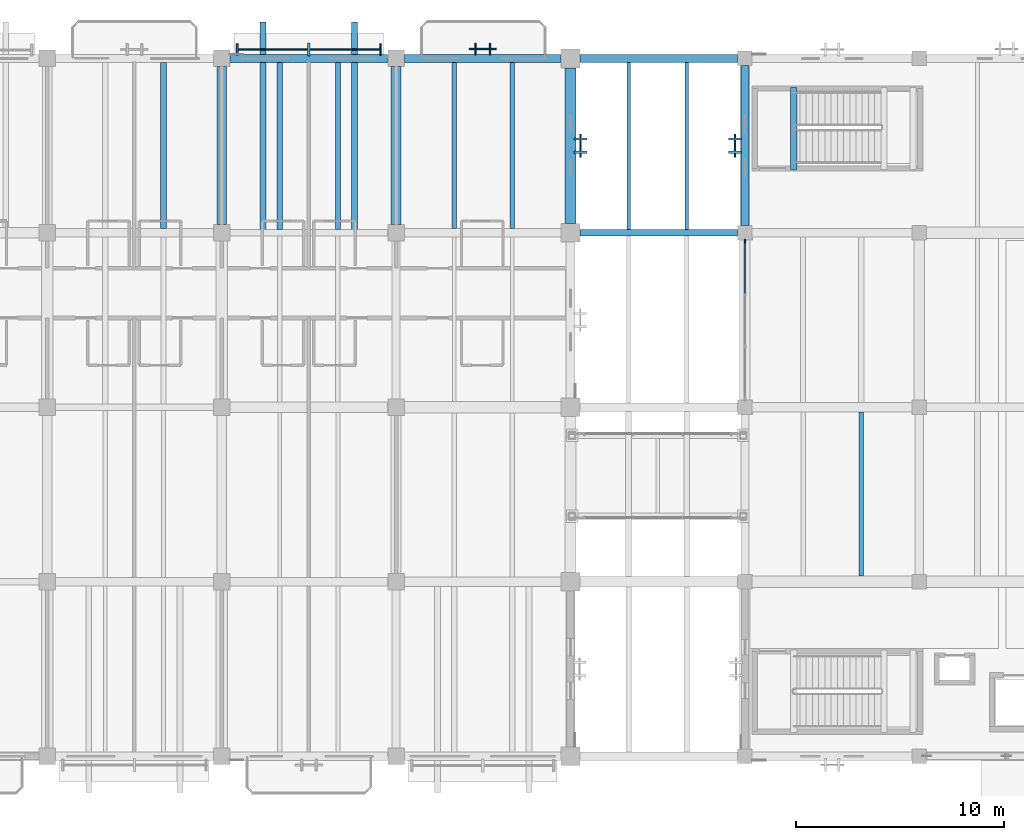
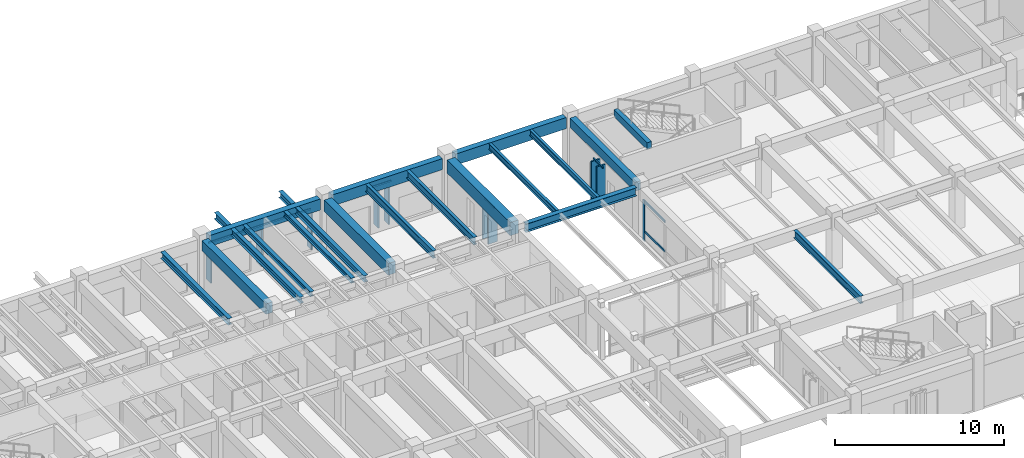
# One storey, part 50 of 132: 19 beams, 16 members, 5 elements without a shape of their own.
"""IFC4 building model written with IfcOpenShell, lengths in metres."""

from ifc_helpers import new_model, si_unit, direction, frame, origin, origin_2d, place, context, subcontext, project, spatial, rectangle, i_section, extrude, material, material_profile, profile_set, type_object, element, aggregate, save


model = new_model("IFC4")

# Units and contexts
model_context = context("Model", 3, precision=1e-05, world=origin(), true_north=direction((0.0, 1.0)))
body_context = subcontext(model_context, "Body", "Model", "MODEL_VIEW")
ifc_project = project(units=[si_unit("LENGTHUNIT", "METRE"), si_unit("AREAUNIT", "SQUARE_METRE"), si_unit("VOLUMEUNIT", "CUBIC_METRE"), si_unit("PLANEANGLEUNIT", "RADIAN"), si_unit("MASSUNIT", "GRAM", prefix="KILO")], contexts=[model_context])

# Site, building, storey
site_placement = place(None, origin())
site = spatial("IfcSite", under=ifc_project, at=site_placement, CompositionType="ELEMENT")
building_placement = place(site_placement, origin())
building = spatial("IfcBuilding", under=site, at=building_placement, Name="Cumbredor Promenade Congress Hotel", CompositionType="ELEMENT")
storey_placement = place(building_placement, frame((0.0, 0.0, 7.56005859375)))
storey = spatial("IfcBuildingStorey", under=building, at=storey_placement, Name="L02", CompositionType="ELEMENT", Elevation=7.56005859375)

# Beams
ifc_material_1 = material(Name="Concrete C40/50", Category="concrete")
ifc_material_profile_1 = material_profile(ifc_material_1, rectangle(XDim=0.39990234375, YDim=0.64990234375, at=origin_2d()), Name="RC BEAM 400x650")
ifc_profile_set_1 = profile_set([ifc_material_profile_1], Name="Concrete C40/50")
beam_type_1 = type_object("IfcBeamType", Name="BM-RC-400x650", PredefinedType="BEAM", material=ifc_profile_set_1)
beam_1_placement = place(storey_placement, frame((92.39990234375, 109.550048828125, 3.474853515625), z_axis=(0.0, 1.0, 0.0), x_axis=(-1.0, 0.0, 0.0)))
element("IfcBeam", 1, at=beam_1_placement, inside=storey, type_object=beam_type_1, Name="L03 Y-Grid Beam 156", PredefinedType="BEAM", context=body_context, shape_type="SweptSolid", body=[
    extrude(rectangle(XDim=0.39990234375, YDim=0.64990234375, at=origin_2d()), origin(), (0.0, 0.0, 1.0), 7.699951171875),
])
ifc_material_profile_2 = material_profile(ifc_material_1, rectangle(XDim=0.449951171875, YDim=0.75, at=origin_2d()), Name="RC BEAM 450x750")
ifc_profile_set_2 = profile_set([ifc_material_profile_2], Name="Concrete C40/50")
beam_type_2 = type_object("IfcBeamType", Name="BM-RC-450x750", PredefinedType="BEAM", material=ifc_profile_set_2)
beam_2_placement = place(storey_placement, frame((67.199951171875, 109.60009765625, 3.425048828125), z_axis=(0.0, 1.0, 0.0), x_axis=(-1.0, 0.0, 0.0)))
element("IfcBeam", 2, at=beam_2_placement, inside=storey, type_object=beam_type_2, Name="L03 Y-Grid Beam 129", PredefinedType="BEAM", context=body_context, shape_type="SweptSolid", body=[
    extrude(rectangle(XDim=0.449951171875, YDim=0.75, at=origin_2d()), origin(), (0.0, 0.0, 1.0), 7.599853515625),
])
ifc_material_profile_3 = material_profile(ifc_material_1, rectangle(XDim=0.5, YDim=0.85009765625, at=origin_2d()), Name="RC BEAM 500x850")
ifc_profile_set_3 = profile_set([ifc_material_profile_3], Name="Concrete C40/50")
beam_type_3 = type_object("IfcBeamType", Name="BM-RC-500x850", PredefinedType="BEAM", material=ifc_profile_set_3)
beam_3_placement = place(storey_placement, frame((75.60009765625, 109.60009765625, 3.375), z_axis=(0.0, 1.0, 0.0), x_axis=(-1.0, 0.0, 0.0)))
element("IfcBeam", 3, at=beam_3_placement, inside=storey, type_object=beam_type_3, Name="L03 Y-Grid Beam 138", PredefinedType="BEAM", context=body_context, shape_type="SweptSolid", body=[
    extrude(rectangle(XDim=0.5, YDim=0.85009765625, at=origin_2d()), origin(), (0.0, 0.0, 1.0), 7.599853515625),
])
ifc_material_profile_4 = material_profile(ifc_material_1, rectangle(XDim=0.550048828125, YDim=0.949951171875, at=origin_2d()), Name="RC BEAM 550x950")
ifc_profile_set_4 = profile_set([ifc_material_profile_4], Name="Concrete C40/50")
beam_type_4 = type_object("IfcBeamType", Name="BM-RC-550x950", PredefinedType="BEAM", material=ifc_profile_set_4)
beam_4_placement = place(storey_placement, frame((84.0, 109.64990234375, 3.324951171875), z_axis=(0.0, 1.0, 0.0), x_axis=(-1.0, 0.0, 0.0)))
element("IfcBeam", 4, at=beam_4_placement, inside=storey, type_object=beam_type_4, Name="L03 Y-Grid Beam 147", PredefinedType="BEAM", context=body_context, shape_type="SweptSolid", body=[
    extrude(rectangle(XDim=0.550048828125, YDim=0.949951171875, at=origin_2d()), origin(), (0.0, 0.0, 1.0), 7.5),
])
ifc_material_2 = material(Name="Steel ASTM A992 Grade 50", Category="steel")
ifc_material_profile_5 = material_profile(ifc_material_2, i_section(OverallWidth=0.323974609375, OverallDepth=0.611083984375, WebThickness=0.0126953125, FlangeThickness=0.01904296875, at=origin_2d()), Name="W24X104")
ifc_profile_set_5 = profile_set([ifc_material_profile_5], Name="Steel ASTM A992 Grade 50")
beam_type_5 = type_object("IfcBeamType", Name="BM-W24X104", PredefinedType="BEAM", material=ifc_profile_set_5)
beam_5_placement = place(storey_placement, frame((84.449951171875, 109.199951171875, 3.494384765625), z_axis=(1.0, 0.0, 0.0), x_axis=(0.0, 1.0, 0.0)))
element("IfcBeam", 5, at=beam_5_placement, inside=storey, type_object=beam_type_5, Name="L03 X-Grid Beam 146", PredefinedType="BEAM", context=body_context, shape_type="SweptSolid", body=[
    extrude(i_section(OverallWidth=0.323974609375, OverallDepth=0.611083984375, WebThickness=0.0126953125, FlangeThickness=0.01904296875, at=origin_2d()), origin(), (0.0, 0.0, 1.0), 7.60009765625),
])

# Curtain wall, member
ifc_material_3 = material(Name="Thermally broken anodized aluminium and low-E glass", Category="aluminium")
curtain_wall_type_1 = type_object("IfcCurtainWallType", Name="Unitised Forum Curtain Wall CW-02", PredefinedType="NOTDEFINED", material=ifc_material_3)
curtain_wall_1_placement = place(storey_placement, origin())
curtain_wall_1 = element("IfcCurtainWall", 6, at=curtain_wall_1_placement, inside=storey, type_object=curtain_wall_type_1, Name="L02 Pre-Function and Breakout Meeting Forum West Curtain Wall 3", PredefinedType="NOTDEFINED")
ifc_material_4 = material(Name="Thermally broken anodized aluminium", Category="aluminium")
ifc_material_profile_6 = material_profile(ifc_material_4, rectangle(XDim=0.074951171875, YDim=0.199951171875, at=origin_2d()), Name="ALU MULLION 75x200")
ifc_profile_set_6 = profile_set([ifc_material_profile_6], Name="Thermally broken anodized aluminium")
member_type_1 = type_object("IfcMemberType", Name="Curtain Wall Mullion ML-02", PredefinedType="MULLION", material=ifc_profile_set_6)
member_1_placement = place(storey_placement, frame((92.39990234375, 108.794921875, -0.008056640625), z_axis=(0.0, 0.0, 1.0), x_axis=(1.0, 0.0, 0.0)))
member_1 = element("IfcMember", 7, at=member_1_placement, type_object=member_type_1, Name="L02 Pre-Function and Breakout Meeting Forum West Curtain Wall 3 Mullion 4", PredefinedType="MULLION", context=body_context, shape_type="SweptSolid", body=[
    extrude(rectangle(XDim=0.074951171875, YDim=0.199951171875, at=origin_2d()), origin(), (0.0, 0.0, 1.0), 2.950927734375),
])

curtain_wall_type_2 = type_object("IfcCurtainWallType", Name="Solar Brise-Soleil Screen Assembly CW-07", PredefinedType="NOTDEFINED", material=ifc_material_3)
curtain_wall_2_placement = place(storey_placement, origin())
curtain_wall_2 = element("IfcCurtainWall", 8, at=curtain_wall_2_placement, inside=storey, type_object=curtain_wall_type_2, Name="L02 Pier Brise-Soleil Screen 0436", PredefinedType="NOTDEFINED")
ifc_material_profile_7 = material_profile(ifc_material_4, rectangle(XDim=0.06494140625, YDim=0.1298828125, at=origin_2d()), Name="ALU TRANSOM 65x130")
ifc_profile_set_7 = profile_set([ifc_material_profile_7], Name="Thermally broken anodized aluminium")
member_type_2 = type_object("IfcMemberType", Name="Curtain Wall Transom TR-01", PredefinedType="USERDEFINED", material=ifc_profile_set_7)
member_2_placement = place(storey_placement, frame((91.9150390625, 112.85009765625, 2.974853515625), z_axis=(0.0, 1.0, 0.0), x_axis=(-1.0, 0.0, 0.0)))
member_2 = element("IfcMember", 9, at=member_2_placement, type_object=member_type_2, Name="L02 Pier Brise-Soleil Header 0438", ObjectType="TRANSOM", PredefinedType="USERDEFINED", context=body_context, shape_type="SweptSolid", body=[
    extrude(rectangle(XDim=0.06494140625, YDim=0.1298828125, at=origin_2d()), origin(), (0.0, 0.0, 1.0), 1.099853515625),
])

curtain_wall_3_placement = place(storey_placement, origin())
curtain_wall_3 = element("IfcCurtainWall", 10, at=curtain_wall_3_placement, inside=storey, type_object=curtain_wall_type_2, Name="L02 Hospitality Brise-Soleil Screen 046", PredefinedType="NOTDEFINED")
member_3_placement = place(storey_placement, frame((67.90087890625, 118.034912109375, 2.804931640625), z_axis=(1.0, 0.0, 0.0), x_axis=(0.0, 1.0, 0.0)))
member_3 = element("IfcMember", 11, at=member_3_placement, type_object=member_type_2, Name="L02 Brise-Soleil Screen Transom 046", ObjectType="TRANSOM", PredefinedType="USERDEFINED", context=body_context, shape_type="SweptSolid", body=[
    extrude(rectangle(XDim=0.06494140625, YDim=0.1298828125, at=origin_2d()), origin(), (0.0, 0.0, 1.0), 6.998046875),
])

curtain_wall_4_placement = place(storey_placement, origin())
curtain_wall_4 = element("IfcCurtainWall", 12, at=curtain_wall_4_placement, inside=storey, type_object=curtain_wall_type_2, Name="L02 Veranda Solar Brise-Soleil Screen 496", PredefinedType="NOTDEFINED")
member_4_placement = place(storey_placement, frame((79.125, 118.050048828125, 2.905029296875), z_axis=(1.0, 0.0, 0.0), x_axis=(0.0, 1.0, 0.0)))
member_4 = element("IfcMember", 13, at=member_4_placement, type_object=member_type_2, Name="L02 Brise-Soleil Header Tie 0498", ObjectType="TRANSOM", PredefinedType="USERDEFINED", context=body_context, shape_type="SweptSolid", body=[
    extrude(rectangle(XDim=0.06494140625, YDim=0.1298828125, at=origin_2d()), origin(), (0.0, 0.0, 1.0), 1.300048828125),
])

curtain_wall_5_placement = place(storey_placement, origin())
curtain_wall_5 = element("IfcCurtainWall", 14, at=curtain_wall_5_placement, inside=storey, type_object=curtain_wall_type_2, Name="L02 Pier Brise-Soleil Screen 0517", PredefinedType="NOTDEFINED")
member_5_placement = place(storey_placement, frame((84.485107421875, 112.85009765625, 2.675048828125), z_axis=(0.0, 1.0, 0.0), x_axis=(-1.0, 0.0, 0.0)))
member_5 = element("IfcMember", 15, at=member_5_placement, type_object=member_type_2, Name="L02 Pier Brise-Soleil Header 0519", ObjectType="TRANSOM", PredefinedType="USERDEFINED", context=body_context, shape_type="SweptSolid", body=[
    extrude(rectangle(XDim=0.06494140625, YDim=0.1298828125, at=origin_2d()), origin(), (0.0, 0.0, 1.0), 1.099853515625),
])

# Member
ifc_material_profile_8 = material_profile(ifc_material_4, rectangle(XDim=0.074951171875, YDim=0.14990234375, at=origin_2d()), Name="ALU TRANSOM 75x150")
ifc_profile_set_8 = profile_set([ifc_material_profile_8], Name="Thermally broken anodized aluminium")
member_type_3 = type_object("IfcMemberType", Name="Curtain Wall Transom TR-02", PredefinedType="USERDEFINED", material=ifc_profile_set_8)
member_6_placement = place(storey_placement, frame((92.39990234375, 106.302490234375, 0.719970703125), z_axis=(0.0, 1.0, 0.0), x_axis=(-1.0, 0.0, 0.0)))
member_6 = element("IfcMember", 16, at=member_6_placement, type_object=member_type_3, Name="L02 Pre-Function and Breakout Meeting Forum West Curtain Wall 3 Transom 3.2", ObjectType="TRANSOM", PredefinedType="USERDEFINED", context=body_context, shape_type="SweptSolid", body=[
    extrude(rectangle(XDim=0.074951171875, YDim=0.14990234375, at=origin_2d()), origin(), (0.0, 0.0, 1.0), 2.455078125),
])

member_7_placement = place(storey_placement, frame((92.39990234375, 106.302490234375, 2.85986328125), z_axis=(0.0, 1.0, 0.0), x_axis=(-1.0, 0.0, 0.0)))
member_7 = element("IfcMember", 17, at=member_7_placement, type_object=member_type_3, Name="L02 Pre-Function and Breakout Meeting Forum West Curtain Wall 3 Transom 3.3", ObjectType="TRANSOM", PredefinedType="USERDEFINED", context=body_context, shape_type="SweptSolid", body=[
    extrude(rectangle(XDim=0.074951171875, YDim=0.14990234375, at=origin_2d()), origin(), (0.0, 0.0, 1.0), 2.455078125),
])

aggregate(curtain_wall_1, [member_1, member_6, member_7])

# Beams
ifc_material_profile_9 = material_profile(ifc_material_2, i_section(OverallWidth=0.2548828125, OverallDepth=0.35693359375, WebThickness=0.010498046875, FlangeThickness=0.018310546875, at=origin_2d()), Name="W14X68")
ifc_profile_set_9 = profile_set([ifc_material_profile_9], Name="Steel ASTM A992 Grade 50")
beam_type_6 = type_object("IfcBeamType", Name="JST-W14X68", PredefinedType="JOIST", material=ifc_profile_set_9)
for number, where, z_axis, x_axis, name in (
    (18, (70.0, 109.362060546875, 3.621337890625), (0.0, 1.0, 0.0), (-1.0, 0.0, 0.0), "L03 Secondary Floor Joist 0072"),
    (19, (72.800048828125, 109.362060546875, 3.621337890625), (0.0, 1.0, 0.0), (-1.0, 0.0, 0.0), "L03 Secondary Floor Joist 0073"),
):
    element("IfcBeam", number, at=place(storey_placement, frame(where, z_axis=z_axis, x_axis=x_axis)), inside=storey, type_object=beam_type_6, Name=name, PredefinedType="JOIST", context=body_context, shape_type="SweptSolid", body=[
        extrude(i_section(OverallWidth=0.2548828125, OverallDepth=0.35693359375, WebThickness=0.010498046875, FlangeThickness=0.018310546875, at=origin_2d()), origin(), (0.0, 0.0, 1.0), 8.037841796875),
    ])
ifc_material_profile_10 = material_profile(ifc_material_2, i_section(OverallWidth=0.180908203125, OverallDepth=0.4169921875, WebThickness=0.010986328125, FlangeThickness=0.018310546875, at=origin_2d()), Name="W16X57")
ifc_profile_set_10 = profile_set([ifc_material_profile_10], Name="Steel ASTM A992 Grade 50")
beam_type_7 = type_object("IfcBeamType", Name="JST-W16X57", PredefinedType="JOIST", material=ifc_profile_set_10)
for number, where, z_axis, x_axis, name in (
    (20, (86.800048828125, 109.362060546875, 3.591552734375), (0.0, 1.0, 0.0), (-1.0, 0.0, 0.0), "L03 Secondary Floor Joist 0088"),
    (21, (89.60009765625, 109.362060546875, 3.591552734375), (0.0, 1.0, 0.0), (-1.0, 0.0, 0.0), "L03 Secondary Floor Joist 0089"),
):
    element("IfcBeam", number, at=place(storey_placement, frame(where, z_axis=z_axis, x_axis=x_axis)), inside=storey, type_object=beam_type_7, Name=name, PredefinedType="JOIST", context=body_context, shape_type="SweptSolid", body=[
        extrude(i_section(OverallWidth=0.180908203125, OverallDepth=0.4169921875, WebThickness=0.010986328125, FlangeThickness=0.018310546875, at=origin_2d()), origin(), (0.0, 0.0, 1.0), 8.037841796875),
    ])
ifc_material_profile_11 = material_profile(ifc_material_2, i_section(OverallWidth=0.280029296875, OverallDepth=0.462890625, WebThickness=0.0107421875, FlangeThickness=0.017333984375, at=origin_2d()), Name="W18X76")
ifc_profile_set_11 = profile_set([ifc_material_profile_11], Name="Steel ASTM A992 Grade 50")
beam_type_8 = type_object("IfcBeamType", Name="JST-W18X76", PredefinedType="JOIST", material=ifc_profile_set_11)
for number, where, z_axis, x_axis, name in (
    (22, (69.199951171875, 109.199951171875, 3.568359375), (0.0, 1.0, 0.0), (-1.0, 0.0, 0.0), "L03 Balcony Back-Spanned Outrigger Beam 015.1"),
    (23, (73.60009765625, 109.199951171875, 3.568359375), (0.0, 1.0, 0.0), (-1.0, 0.0, 0.0), "L03 Balcony Back-Spanned Outrigger Beam 015.2"),
):
    element("IfcBeam", number, at=place(storey_placement, frame(where, z_axis=z_axis, x_axis=x_axis)), inside=storey, type_object=beam_type_8, Name=name, PredefinedType="JOIST", context=body_context, shape_type="SweptSolid", body=[
        extrude(i_section(OverallWidth=0.280029296875, OverallDepth=0.462890625, WebThickness=0.0107421875, FlangeThickness=0.017333984375, at=origin_2d()), origin(), (0.0, 0.0, 1.0), 10.150146484375),
    ])
beam_6_placement = place(storey_placement, frame((64.39990234375, 109.39990234375, 3.568359375), z_axis=(0.0, 1.0, 0.0), x_axis=(-1.0, 0.0, 0.0)))
element("IfcBeam", 24, at=beam_6_placement, inside=storey, type_object=beam_type_8, Name="L03 Secondary Floor Joist 0065", PredefinedType="JOIST", context=body_context, shape_type="SweptSolid", body=[
    extrude(i_section(OverallWidth=0.280029296875, OverallDepth=0.462890625, WebThickness=0.0107421875, FlangeThickness=0.017333984375, at=origin_2d()), origin(), (0.0, 0.0, 1.0), 8.0),
])
ifc_material_profile_12 = material_profile(ifc_material_2, i_section(OverallWidth=0.214111328125, OverallDepth=0.549072265625, WebThickness=0.0146484375, FlangeThickness=0.023681640625, at=origin_2d()), Name="W21X93")
ifc_profile_set_12 = profile_set([ifc_material_profile_12], Name="Steel ASTM A992 Grade 50")
beam_type_9 = type_object("IfcBeamType", Name="JST-W21X93", PredefinedType="JOIST", material=ifc_profile_set_12)
for number, where, z_axis, x_axis, name in (
    (25, (78.39990234375, 109.39990234375, 3.525390625), (0.0, 1.0, 0.0), (-1.0, 0.0, 0.0), "L03 Secondary Floor Joist 0080"),
    (26, (81.199951171875, 109.39990234375, 3.525390625), (0.0, 1.0, 0.0), (-1.0, 0.0, 0.0), "L03 Secondary Floor Joist 0081"),
):
    element("IfcBeam", number, at=place(storey_placement, frame(where, z_axis=z_axis, x_axis=x_axis)), inside=storey, type_object=beam_type_9, Name=name, PredefinedType="JOIST", context=body_context, shape_type="SweptSolid", body=[
        extrude(i_section(OverallWidth=0.214111328125, OverallDepth=0.549072265625, WebThickness=0.0146484375, FlangeThickness=0.023681640625, at=origin_2d()), origin(), (0.0, 0.0, 1.0), 8.0),
    ])
beam_7_placement = place(storey_placement, frame((98.0, 92.675048828125, 3.525390625), z_axis=(0.0, 1.0, 0.0), x_axis=(-1.0, 0.0, 0.0)))
element("IfcBeam", 27, at=beam_7_placement, inside=storey, type_object=beam_type_9, Name="L03 Secondary Floor Joist 0091", PredefinedType="JOIST", context=body_context, shape_type="SweptSolid", body=[
    extrude(i_section(OverallWidth=0.214111328125, OverallDepth=0.549072265625, WebThickness=0.0146484375, FlangeThickness=0.023681640625, at=origin_2d()), origin(), (0.0, 0.0, 1.0), 7.89990234375),
])
ifc_material_profile_13 = material_profile(ifc_material_1, rectangle(XDim=0.300048828125, YDim=0.5, at=origin_2d()), Name="RC LINTEL 300x500")
ifc_profile_set_13 = profile_set([ifc_material_profile_13], Name="Concrete C40/50")
beam_type_10 = type_object("IfcBeamType", Name="LN-RC-300x500", PredefinedType="LINTEL", material=ifc_profile_set_13)
beam_8_placement = place(storey_placement, frame((94.75, 112.25, 3.949951171875), z_axis=(0.0, 1.0, 0.0), x_axis=(-1.0, 0.0, 0.0)))
element("IfcBeam", 28, at=beam_8_placement, inside=storey, type_object=beam_type_10, Name="L03 Stair ST-15 Well Header Trimmer Beam", PredefinedType="LINTEL", context=body_context, shape_type="SweptSolid", body=[
    extrude(rectangle(XDim=0.300048828125, YDim=0.5, at=origin_2d()), origin(), (0.0, 0.0, 1.0), 3.949951171875),
])
ifc_material_profile_14 = material_profile(ifc_material_1, rectangle(XDim=0.39990234375, YDim=0.800048828125, at=origin_2d()), Name="RC SPANDREL 400x800")
ifc_profile_set_14 = profile_set([ifc_material_profile_14], Name="Concrete C40/50")
beam_type_11 = type_object("IfcBeamType", Name="SP-RC-400x800", PredefinedType="SPANDREL", material=ifc_profile_set_14)
beam_9_placement = place(storey_placement, frame((67.60009765625, 117.60009765625, 3.39990234375), z_axis=(1.0, 0.0, 0.0), x_axis=(0.0, 1.0, 0.0)))
element("IfcBeam", 29, at=beam_9_placement, inside=storey, type_object=beam_type_11, Name="L03 X-Grid Beam 130", PredefinedType="SPANDREL", context=body_context, shape_type="SweptSolid", body=[
    extrude(rectangle(XDim=0.39990234375, YDim=0.800048828125, at=origin_2d()), origin(), (0.0, 0.0, 1.0), 7.599853515625),
])
beam_10_placement = place(storey_placement, frame((76.0, 117.60009765625, 3.39990234375), z_axis=(1.0, 0.0, 0.0), x_axis=(0.0, 1.0, 0.0)))
element("IfcBeam", 30, at=beam_10_placement, inside=storey, type_object=beam_type_11, Name="L03 X-Grid Beam 139", PredefinedType="SPANDREL", context=body_context, shape_type="SweptSolid", body=[
    extrude(rectangle(XDim=0.39990234375, YDim=0.800048828125, at=origin_2d()), origin(), (0.0, 0.0, 1.0), 7.550048828125),
])
beam_11_placement = place(storey_placement, frame((84.449951171875, 117.60009765625, 3.39990234375), z_axis=(1.0, 0.0, 0.0), x_axis=(0.0, 1.0, 0.0)))
element("IfcBeam", 31, at=beam_11_placement, inside=storey, type_object=beam_type_11, Name="L03 X-Grid Beam 148", PredefinedType="SPANDREL", context=body_context, shape_type="SweptSolid", body=[
    extrude(rectangle(XDim=0.39990234375, YDim=0.800048828125, at=origin_2d()), origin(), (0.0, 0.0, 1.0), 7.60009765625),
])

# Member
ifc_material_profile_15 = material_profile(ifc_material_4, rectangle(XDim=0.110107421875, YDim=0.6201171875, at=origin_2d()), Name="ARCH FIN 110x620")
ifc_profile_set_15 = profile_set([ifc_material_profile_15], Name="Thermally broken anodized aluminium")
member_type_4 = type_object("IfcMemberType", Name="Vertical Bronze Brise-Soleil Fin BSF-02 110x620", PredefinedType="USERDEFINED", material=ifc_profile_set_15)
member_8_placement = place(storey_placement, frame((91.9150390625, 113.080078125, 0.02001953125), z_axis=(0.0, 0.0, 1.0), x_axis=(0.0, 1.0, 0.0)))
member_8 = element("IfcMember", 32, at=member_8_placement, type_object=member_type_4, Name="L02 Pier Brise-Soleil Fin 0437", ObjectType="SOLAR FIN", PredefinedType="USERDEFINED", context=body_context, shape_type="SweptSolid", body=[
    extrude(rectangle(XDim=0.110107421875, YDim=0.6201171875, at=origin_2d()), origin(), (0.0, 0.0, 1.0), 2.994873046875),
])

member_9_placement = place(storey_placement, frame((91.9150390625, 113.719970703125, 0.02001953125), z_axis=(0.0, 0.0, 1.0), x_axis=(0.0, 1.0, 0.0)))
member_9 = element("IfcMember", 33, at=member_9_placement, type_object=member_type_4, Name="L02 Pier Brise-Soleil Fin 0438", ObjectType="SOLAR FIN", PredefinedType="USERDEFINED", context=body_context, shape_type="SweptSolid", body=[
    extrude(rectangle(XDim=0.110107421875, YDim=0.6201171875, at=origin_2d()), origin(), (0.0, 0.0, 1.0), 2.994873046875),
])

aggregate(curtain_wall_2, [member_8, member_9, member_2])

member_10_placement = place(storey_placement, frame((71.39990234375, 118.034912109375, 0.02001953125), z_axis=(0.0, 0.0, 1.0), x_axis=(1.0, 0.0, 0.0)))
member_10 = element("IfcMember", 34, at=member_10_placement, type_object=member_type_4, Name="L02 Vertical Brise-Soleil Fin 0494", ObjectType="SOLAR FIN", PredefinedType="USERDEFINED", context=body_context, shape_type="SweptSolid", body=[
    extrude(rectangle(XDim=0.110107421875, YDim=0.6201171875, at=origin_2d()), origin(), (0.0, 0.0, 1.0), 2.844970703125),
])

member_11_placement = place(storey_placement, frame((84.485107421875, 113.080078125, 0.02001953125), z_axis=(0.0, 0.0, 1.0), x_axis=(0.0, 1.0, 0.0)))
member_11 = element("IfcMember", 35, at=member_11_placement, type_object=member_type_4, Name="L02 Pier Brise-Soleil Fin 0518", ObjectType="SOLAR FIN", PredefinedType="USERDEFINED", context=body_context, shape_type="SweptSolid", body=[
    extrude(rectangle(XDim=0.110107421875, YDim=0.6201171875, at=origin_2d()), origin(), (0.0, 0.0, 1.0), 2.69482421875),
])

member_12_placement = place(storey_placement, frame((84.485107421875, 113.719970703125, 0.02001953125), z_axis=(0.0, 0.0, 1.0), x_axis=(0.0, 1.0, 0.0)))
member_12 = element("IfcMember", 36, at=member_12_placement, type_object=member_type_4, Name="L02 Pier Brise-Soleil Fin 0519", ObjectType="SOLAR FIN", PredefinedType="USERDEFINED", context=body_context, shape_type="SweptSolid", body=[
    extrude(rectangle(XDim=0.110107421875, YDim=0.6201171875, at=origin_2d()), origin(), (0.0, 0.0, 1.0), 2.69482421875),
])

aggregate(curtain_wall_5, [member_11, member_12, member_5])

ifc_material_5 = material(Name="Kiln-dried tropical hardwood", Category="wood")
ifc_material_profile_16 = material_profile(ifc_material_5, rectangle(XDim=0.090087890625, YDim=0.550048828125, at=origin_2d()), Name="ARCH FIN 90x550")
ifc_profile_set_16 = profile_set([ifc_material_profile_16], Name="Kiln-dried tropical hardwood")
member_type_5 = type_object("IfcMemberType", Name="Vertical Hardwood Brise-Soleil Fin BSF-01 90x550", PredefinedType="USERDEFINED", material=ifc_profile_set_16)
member_13_placement = place(storey_placement, frame((67.950927734375, 118.034912109375, 0.02001953125), z_axis=(0.0, 0.0, 1.0), x_axis=(1.0, 0.0, 0.0)))
member_13 = element("IfcMember", 37, at=member_13_placement, type_object=member_type_5, Name="L02 Vertical Brise-Soleil Fin 0493", ObjectType="SOLAR FIN", PredefinedType="USERDEFINED", context=body_context, shape_type="SweptSolid", body=[
    extrude(rectangle(XDim=0.090087890625, YDim=0.550048828125, at=origin_2d()), origin(), (0.0, 0.0, 1.0), 2.844970703125),
])

member_14_placement = place(storey_placement, frame((74.84912109375, 118.034912109375, 0.02001953125), z_axis=(0.0, 0.0, 1.0), x_axis=(1.0, 0.0, 0.0)))
member_14 = element("IfcMember", 38, at=member_14_placement, type_object=member_type_5, Name="L02 Vertical Brise-Soleil Fin 0495", ObjectType="SOLAR FIN", PredefinedType="USERDEFINED", context=body_context, shape_type="SweptSolid", body=[
    extrude(rectangle(XDim=0.090087890625, YDim=0.550048828125, at=origin_2d()), origin(), (0.0, 0.0, 1.0), 2.844970703125),
])

aggregate(curtain_wall_3, [member_3, member_13, member_10, member_14])

member_15_placement = place(storey_placement, frame((79.425048828125, 118.050048828125, -0.010009765625), z_axis=(0.0, 0.0, 1.0), x_axis=(1.0, 0.0, 0.0)))
member_15 = element("IfcMember", 39, at=member_15_placement, type_object=member_type_5, Name="L02 Vertical Hardwood Brise-Soleil Fin 0497", ObjectType="SOLAR FIN", PredefinedType="USERDEFINED", context=body_context, shape_type="SweptSolid", body=[
    extrude(rectangle(XDim=0.090087890625, YDim=0.550048828125, at=origin_2d()), origin(), (0.0, 0.0, 1.0), 2.974853515625),
])

member_16_placement = place(storey_placement, frame((80.125, 118.050048828125, -0.010009765625), z_axis=(0.0, 0.0, 1.0), x_axis=(1.0, 0.0, 0.0)))
member_16 = element("IfcMember", 40, at=member_16_placement, type_object=member_type_5, Name="L02 Vertical Hardwood Brise-Soleil Fin 0498", ObjectType="SOLAR FIN", PredefinedType="USERDEFINED", context=body_context, shape_type="SweptSolid", body=[
    extrude(rectangle(XDim=0.090087890625, YDim=0.550048828125, at=origin_2d()), origin(), (0.0, 0.0, 1.0), 2.974853515625),
])

aggregate(curtain_wall_4, [member_15, member_16, member_4])

save(model, "model.ifc")
